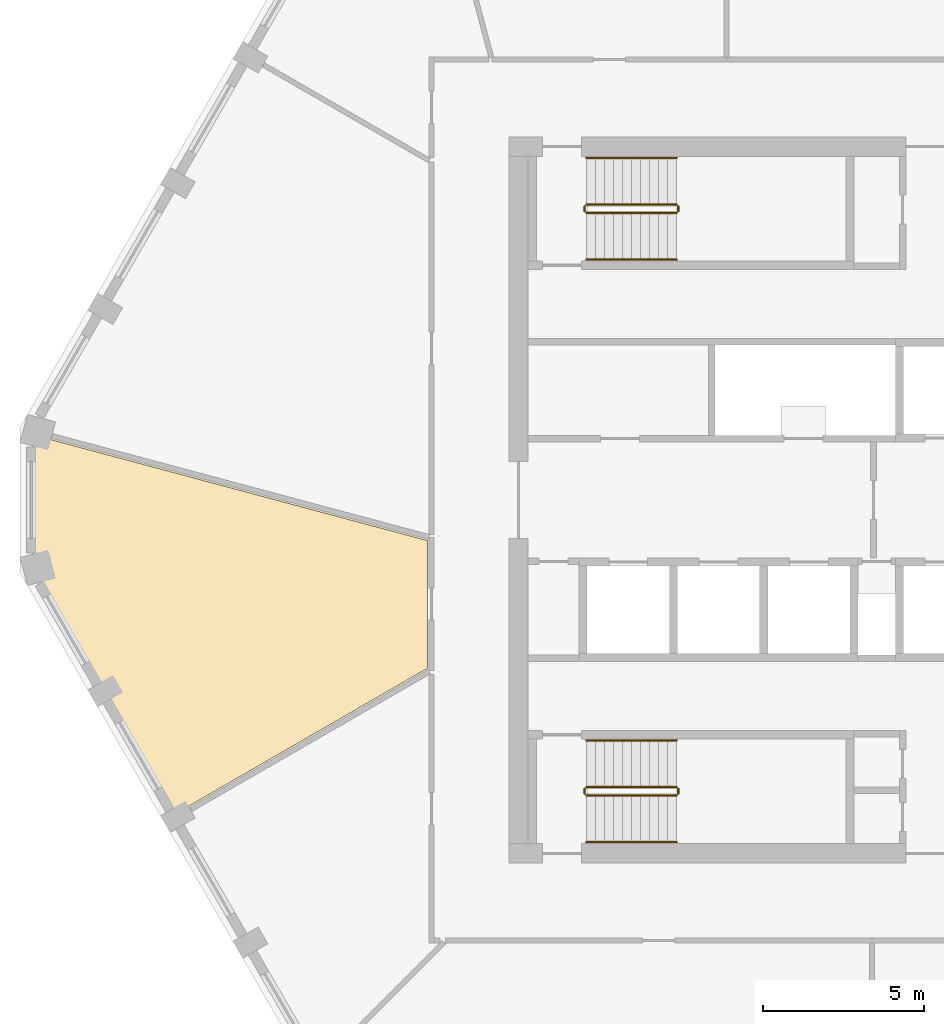
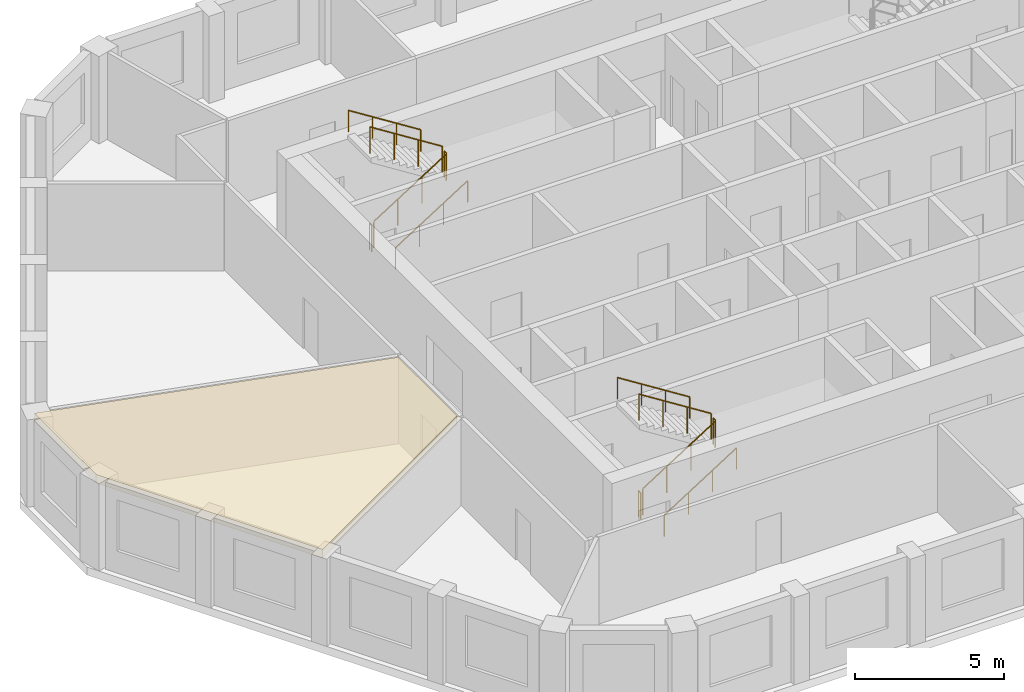
# One storey, part 8 of 9: 12 railings, 1 covering.
"""IFC4 building model written with IfcOpenShell, lengths in metres."""

import ifcopenshell
import ifcopenshell.guid

model = None  # the IFC model being written
_history = None  # IfcOwnerHistory: only IFC2X3 demands one
_inside = {}  # id of a spatial element -> (the spatial element, [elements in it])
_under = {}  # id of a project, library or spatial element -> (it, [spatial elements below it])
_declared = {}  # id of a project -> (the project, [libraries it declares])
_typed = {}  # id of a type object -> (the type object, [elements of that type])
_made_of = {}  # id of a material, layer set ... -> (it, [elements and type objects made of it])


def new_model(schema):
    """Start an empty IFC model of exactly this schema.

    Asked for "IFC4X3", IfcOpenShell would pick the latest addendum, in which some entities
    have other attributes; the version numbers below select the first issue.
    IFC2X3 requires an IfcOwnerHistory on every rooted entity: one is made here for all.
    """
    global model, _history
    if schema == "IFC4X3":
        model = ifcopenshell.file(schema_version=(4, 3, 0, 0))
    else:
        model = ifcopenshell.file(schema=schema)
    _inside.clear()
    _under.clear()
    _declared.clear()
    _typed.clear()
    _made_of.clear()
    _history = None
    if model.schema == "IFC2X3":
        org = make("IfcOrganization", Name="unknown")
        user = make(
            "IfcPersonAndOrganization",
            ThePerson=make("IfcPerson", FamilyName="unknown"),
            TheOrganization=org,
        )
        app = make(
            "IfcApplication",
            ApplicationDeveloper=org,
            Version="unknown",
            ApplicationFullName="unknown",
            ApplicationIdentifier="unknown",
        )
        _history = make(
            "IfcOwnerHistory",
            OwningUser=user,
            OwningApplication=app,
            ChangeAction="ADDED",
            CreationDate=0,
        )
    return model


def make(cls, **values):
    """One entity of the class cls with the attributes given. An attribute that is None is left unset."""
    return model.create_entity(
        cls, **{name: value for name, value in values.items() if value is not None}
    )


def rooted(cls, **values):
    """An entity with a GlobalId (a new one), such as an element, a storey or a relation."""
    return make(cls, GlobalId=ifcopenshell.guid.new(), OwnerHistory=_history, **values)


def si_unit(unit_type, name, prefix=None):
    """IfcSIUnit, for example si_unit("LENGTHUNIT", "METRE", prefix="MILLI")."""
    return make("IfcSIUnit", UnitType=unit_type, Prefix=prefix, Name=name)


def assignment(units):
    """IfcUnitAssignment: the units of a project."""
    return None if units is None else make("IfcUnitAssignment", Units=units)


def point(xyz):
    """IfcCartesianPoint."""
    return None if xyz is None else make("IfcCartesianPoint", Coordinates=xyz)


def direction(xyz):
    """IfcDirection."""
    return None if xyz is None else make("IfcDirection", DirectionRatios=xyz)


def frame(location, z_axis=None, x_axis=None):
    """IfcAxis2Placement3D, a coordinate frame: its origin and axes. An axis left out is left unset."""
    return make(
        "IfcAxis2Placement3D",
        Location=point(location),
        Axis=direction(z_axis),
        RefDirection=direction(x_axis),
    )


def frame_2d(location, x_axis=None):
    """IfcAxis2Placement2D, a coordinate frame in the plane: its origin and x axis."""
    return make(
        "IfcAxis2Placement2D", Location=point(location), RefDirection=direction(x_axis)
    )


def origin():
    """The frame at (0, 0, 0) with its axes left unset."""
    return frame((0.0, 0.0, 0.0))


def origin_2d():
    """The frame at (0, 0) in the plane with its x axis left unset."""
    return frame_2d((0.0, 0.0))


def place(relative_to, where):
    """IfcLocalPlacement: puts the frame where relative to a parent placement (None: the world)."""
    return make(
        "IfcLocalPlacement", PlacementRelTo=relative_to, RelativePlacement=where
    )


def context(
    kind, dimensions, precision=None, world=None, true_north=None, identifier=None
):
    """IfcGeometricRepresentationContext, for example the 3D "Model" context."""
    return make(
        "IfcGeometricRepresentationContext",
        ContextIdentifier=identifier,
        ContextType=kind,
        CoordinateSpaceDimension=dimensions,
        Precision=precision,
        WorldCoordinateSystem=world,
        TrueNorth=true_north,
    )


def subcontext(parent, identifier, kind, view, scale=None):
    """IfcGeometricRepresentationSubContext, for example "Body" below "Model"."""
    return make(
        "IfcGeometricRepresentationSubContext",
        ContextIdentifier=identifier,
        ContextType=kind,
        ParentContext=parent,
        TargetScale=scale,
        TargetView=view,
    )


def project(units=None, contexts=None):
    """IfcProject with its units and contexts."""
    return rooted(
        "IfcProject",
        Name="project",
        RepresentationContexts=contexts,
        UnitsInContext=assignment(units),
    )


def spatial(cls, under=None, at=None, **own):
    """A site, building, storey or space (cls), placed at a placement, below another one or the project."""
    s = rooted(cls, ObjectPlacement=at, **own)
    if under is not None:
        _under.setdefault(under.id(), (under, []))[1].append(s)
    return s


def polyline(points):
    """IfcPolyline through the points."""
    return make("IfcPolyline", Points=[point(p) for p in points])


def profile(cls, at=None, kind="AREA", **sizes):
    """A parametric profile (cls). Its sizes go by their IFC names, for example OverallWidth=200.0."""
    return make(cls, ProfileType=kind, Position=at, **sizes)


def circle(**sizes):
    """IfcCircleProfileDef."""
    return profile("IfcCircleProfileDef", **sizes)


def outline(outer, holes=None, kind="AREA"):
    """IfcArbitraryClosedProfileDef: a profile drawn as a closed curve; with holes, ...WithVoids."""
    if holes is None:
        return make("IfcArbitraryClosedProfileDef", ProfileType=kind, OuterCurve=outer)
    return make(
        "IfcArbitraryProfileDefWithVoids",
        ProfileType=kind,
        OuterCurve=outer,
        InnerCurves=holes,
    )


def extrude(swept, where, along, depth):
    """IfcExtrudedAreaSolid: the profile swept, set in the frame where, extruded along a direction by depth."""
    return make(
        "IfcExtrudedAreaSolid",
        SweptArea=swept,
        Position=where,
        ExtrudedDirection=direction(along),
        Depth=depth,
    )


def shape(context_of_items, identifier, shape_type, items):
    """IfcShapeRepresentation: the items that make up one representation, for example the "Body"."""
    return make(
        "IfcShapeRepresentation",
        ContextOfItems=context_of_items,
        RepresentationIdentifier=identifier,
        RepresentationType=shape_type,
        Items=items,
    )


def material(Name=None, Category=None):
    """IfcMaterial."""
    return make("IfcMaterial", Name=Name, Category=Category)


def layer(
    of_material, thickness, ventilated=None, Name=None, Category=None, Priority=None
):
    """IfcMaterialLayer: one layer of a wall or slab, of a material (None: an air gap)."""
    return make(
        "IfcMaterialLayer",
        Material=of_material,
        LayerThickness=thickness,
        IsVentilated=ventilated,
        Name=Name,
        Category=Category,
        Priority=Priority,
    )


def layer_set(layers, Name=None):
    """IfcMaterialLayerSet."""
    return make("IfcMaterialLayerSet", MaterialLayers=layers, LayerSetName=Name)


def made_of(thing, what):
    """Note that an element or type object is made of a material, layer set ...; save() writes the relation."""
    if what is not None:
        _made_of.setdefault(what.id(), (what, []))[1].append(thing)
    return thing


def type_object(cls, material=None, **own):
    """A type object (cls), such as IfcWallType, which elements share."""
    return made_of(rooted(cls, **own), material)


def element(
    cls,
    number,
    at=None,
    inside=None,
    cuts=None,
    type_object=None,
    material=None,
    context=None,
    identifier="Body",
    shape_type=None,
    held_by="IfcProductDefinitionShape",
    body=None,
    shapes=None,
    **own,
):
    """One element of the class cls, such as IfcWall. Its Tag is "e" and its number.

    at: its placement. inside: the storey or other place that contains it. cuts: it is an
    opening in that element (IfcRelVoidsElement). A single representation is given by context,
    identifier, shape_type and body (its items); several are given by shapes. held_by: the class
    of the entity that holds the representations. save() writes the other relations.
    """
    e = rooted(cls, Tag="e%d" % number, ObjectPlacement=at, **own)
    if body is not None:
        shapes = [shape(context, identifier, shape_type, body)]
    if shapes is not None:
        e.Representation = make(held_by, Representations=shapes)
    if inside is not None:
        _inside.setdefault(inside.id(), (inside, []))[1].append(e)
    if cuts is not None:
        rooted(
            "IfcRelVoidsElement", RelatingBuildingElement=cuts, RelatedOpeningElement=e
        )
    if type_object is not None:
        _typed.setdefault(type_object.id(), (type_object, []))[1].append(e)
    return made_of(e, material)


def aggregate(whole, parts):
    """IfcRelAggregates: a whole, such as a stair, and the parts it consists of."""
    return rooted("IfcRelAggregates", RelatingObject=whole, RelatedObjects=parts)


def save(model, path):
    """Write the relations noted so far, then the file.

    IfcRelAggregates (storeys below a building ...), IfcRelContainedInSpatialStructure (elements
    in a storey), IfcRelDefinesByType, IfcRelAssociatesMaterial and IfcRelDeclares: one each for
    every whole, place, type object, material and project.
    """
    for whole, parts in _under.values():
        aggregate(whole, parts)
    for where, things in _inside.values():
        rooted(
            "IfcRelContainedInSpatialStructure",
            RelatedElements=things,
            RelatingStructure=where,
        )
    for kind, things in _typed.values():
        rooted("IfcRelDefinesByType", RelatedObjects=things, RelatingType=kind)
    for what, things in _made_of.values():
        rooted("IfcRelAssociatesMaterial", RelatedObjects=things, RelatingMaterial=what)
    for by, libraries in _declared.values():
        rooted("IfcRelDeclares", RelatingContext=by, RelatedDefinitions=libraries)
    model.write(path)


model = new_model("IFC4")

# Units and contexts
model_context = context("Model", 3, precision=1e-05, world=origin(), true_north=direction((0.0, 1.0)))
body_context = subcontext(model_context, "Body", "Model", "MODEL_VIEW")
ifc_project = project(units=[si_unit("LENGTHUNIT", "METRE"), si_unit("AREAUNIT", "SQUARE_METRE"), si_unit("VOLUMEUNIT", "CUBIC_METRE"), si_unit("PLANEANGLEUNIT", "RADIAN"), si_unit("MASSUNIT", "GRAM", prefix="KILO")], contexts=[model_context])

# Site, building, storey
site_placement = place(None, origin())
site = spatial("IfcSite", under=ifc_project, at=site_placement, CompositionType="ELEMENT")
building_placement = place(site_placement, origin())
building = spatial("IfcBuilding", under=site, at=building_placement, Name="Dhurran Vertical Campus", CompositionType="ELEMENT")
storey_placement = place(building_placement, frame((0.0, 0.0, 294.300048828125)))
storey = spatial("IfcBuildingStorey", under=building, at=storey_placement, Name="L73", CompositionType="ELEMENT", Elevation=294.300048828125)

# Railings
ifc_material_1 = material(Name="Stainless steel balustrade", Category="steel")
railing_type_1 = type_object("IfcRailingType", Name="co-RL-GUARD-1100", PredefinedType="GUARDRAIL", material=ifc_material_1)
railing_1_placement = place(storey_placement, frame((-11.10009765625, 8.89990234375, 0.17724609375)))
element("IfcRailing", 1, at=railing_1_placement, inside=storey, type_object=railing_type_1, Name="L73 ST1 stair guard 1", PredefinedType="GUARDRAIL", context=body_context, shape_type="SweptSolid", body=[
    extrude(circle(Radius=0.02392578125, at=origin_2d()), frame((0.0, 0.0, 1.076171875), z_axis=(0.844908973607, 0.0, 0.534910110503), x_axis=(0.0, 1.0, 0.0)), (0.0, 0.0, 1.0), 3.31396484375),
    extrude(circle(Radius=0.02099609375, at=origin_2d()), origin(), (0.0, 0.0, 1.0), 1.052001953125),
    extrude(circle(Radius=0.02099609375, at=origin_2d()), frame((0.933349609375, 0.0, 0.5908203125)), (0.0, 0.0, 1.0), 1.052001953125),
    extrude(circle(Radius=0.02099609375, at=origin_2d()), frame((1.86669921875, 0.0, 1.181884765625)), (0.0, 0.0, 1.0), 1.052001953125),
    extrude(circle(Radius=0.02099609375, at=origin_2d()), frame((2.800048828125, 0.0, 1.772705078125)), (0.0, 0.0, 1.0), 1.052001953125),
])
railing_2_placement = place(storey_placement, frame((-8.25, 8.949951171875, 1.949951171875)))
element("IfcRailing", 2, at=railing_2_placement, inside=storey, type_object=railing_type_1, Name="L73 ST1 stair guard 2", PredefinedType="GUARDRAIL", context=body_context, shape_type="SweptSolid", body=[
    extrude(circle(Radius=0.02392578125, at=origin_2d()), frame((0.0, 0.0, 1.076171875), z_axis=(0.0, 1.0, 0.0), x_axis=(-1.0, 0.0, 0.0)), (0.0, 0.0, 1.0), 0.150146484375),
    extrude(circle(Radius=0.02099609375, at=origin_2d()), origin(), (0.0, 0.0, 1.0), 1.052001953125),
    extrude(circle(Radius=0.02099609375, at=origin_2d()), frame((0.0, 0.150146484375, 0.0)), (0.0, 0.0, 1.0), 1.052001953125),
])
railing_3_placement = place(storey_placement, frame((-8.300048828125, 9.14990234375, 2.127197265625)))
element("IfcRailing", 3, at=railing_3_placement, inside=storey, type_object=railing_type_1, Name="L73 ST1 stair guard 3", PredefinedType="GUARDRAIL", context=body_context, shape_type="SweptSolid", body=[
    extrude(circle(Radius=0.02392578125, at=origin_2d()), frame((0.0, 0.0, 1.076171875), z_axis=(-0.844908973607, 0.0, 0.534910110503), x_axis=(0.0, -1.0, 0.0)), (0.0, 0.0, 1.0), 3.31396484375),
    extrude(circle(Radius=0.02099609375, at=origin_2d()), origin(), (0.0, 0.0, 1.0), 1.052001953125),
    extrude(circle(Radius=0.02099609375, at=origin_2d()), frame((-0.933349609375, 0.0, 0.5908203125)), (0.0, 0.0, 1.0), 1.052001953125),
    extrude(circle(Radius=0.02099609375, at=origin_2d()), frame((-1.86669921875, 0.0, 1.181884765625)), (0.0, 0.0, 1.0), 1.052001953125),
    extrude(circle(Radius=0.02099609375, at=origin_2d()), frame((-2.800048828125, 0.0, 1.772705078125)), (0.0, 0.0, 1.0), 1.052001953125),
])
railing_4_placement = place(storey_placement, frame((-11.14990234375, 8.949951171875, 0.0)))
element("IfcRailing", 4, at=railing_4_placement, inside=storey, type_object=railing_type_1, Name="L73 ST1 stair guard 4", PredefinedType="GUARDRAIL", context=body_context, shape_type="SweptSolid", body=[
    extrude(circle(Radius=0.02392578125, at=origin_2d()), frame((0.0, 0.0, 1.076171875), z_axis=(0.0, 1.0, 0.0), x_axis=(-1.0, 0.0, 0.0)), (0.0, 0.0, 1.0), 0.150146484375),
    extrude(circle(Radius=0.02099609375, at=origin_2d()), origin(), (0.0, 0.0, 1.0), 1.052001953125),
    extrude(circle(Radius=0.02099609375, at=origin_2d()), frame((0.0, 0.150146484375, 0.0)), (0.0, 0.0, 1.0), 1.052001953125),
])
railing_5_placement = place(storey_placement, frame((-11.10009765625, -9.14990234375, 0.17724609375)))
element("IfcRailing", 5, at=railing_5_placement, inside=storey, type_object=railing_type_1, Name="L73 ST3 stair guard 1", PredefinedType="GUARDRAIL", context=body_context, shape_type="SweptSolid", body=[
    extrude(circle(Radius=0.02392578125, at=origin_2d()), frame((0.0, 0.0, 1.076171875), z_axis=(0.844908973607, 0.0, 0.534910110503), x_axis=(0.0, 1.0, 0.0)), (0.0, 0.0, 1.0), 3.31396484375),
    extrude(circle(Radius=0.02099609375, at=origin_2d()), origin(), (0.0, 0.0, 1.0), 1.052001953125),
    extrude(circle(Radius=0.02099609375, at=origin_2d()), frame((0.933349609375, 0.0, 0.5908203125)), (0.0, 0.0, 1.0), 1.052001953125),
    extrude(circle(Radius=0.02099609375, at=origin_2d()), frame((1.86669921875, 0.0, 1.181884765625)), (0.0, 0.0, 1.0), 1.052001953125),
    extrude(circle(Radius=0.02099609375, at=origin_2d()), frame((2.800048828125, 0.0, 1.772705078125)), (0.0, 0.0, 1.0), 1.052001953125),
])
railing_6_placement = place(storey_placement, frame((-8.25, -9.10009765625, 1.949951171875)))
element("IfcRailing", 6, at=railing_6_placement, inside=storey, type_object=railing_type_1, Name="L73 ST3 stair guard 2", PredefinedType="GUARDRAIL", context=body_context, shape_type="SweptSolid", body=[
    extrude(circle(Radius=0.02392578125, at=origin_2d()), frame((0.0, 0.0, 1.076171875), z_axis=(0.0, 1.0, 0.0), x_axis=(-1.0, 0.0, 0.0)), (0.0, 0.0, 1.0), 0.150146484375),
    extrude(circle(Radius=0.02099609375, at=origin_2d()), origin(), (0.0, 0.0, 1.0), 1.052001953125),
    extrude(circle(Radius=0.02099609375, at=origin_2d()), frame((0.0, 0.150146484375, 0.0)), (0.0, 0.0, 1.0), 1.052001953125),
])
railing_7_placement = place(storey_placement, frame((-8.300048828125, -8.89990234375, 2.127197265625)))
element("IfcRailing", 7, at=railing_7_placement, inside=storey, type_object=railing_type_1, Name="L73 ST3 stair guard 3", PredefinedType="GUARDRAIL", context=body_context, shape_type="SweptSolid", body=[
    extrude(circle(Radius=0.02392578125, at=origin_2d()), frame((0.0, 0.0, 1.076171875), z_axis=(-0.844908973607, 0.0, 0.534910110503), x_axis=(0.0, -1.0, 0.0)), (0.0, 0.0, 1.0), 3.31396484375),
    extrude(circle(Radius=0.02099609375, at=origin_2d()), origin(), (0.0, 0.0, 1.0), 1.052001953125),
    extrude(circle(Radius=0.02099609375, at=origin_2d()), frame((-0.933349609375, 0.0, 0.5908203125)), (0.0, 0.0, 1.0), 1.052001953125),
    extrude(circle(Radius=0.02099609375, at=origin_2d()), frame((-1.86669921875, 0.0, 1.181884765625)), (0.0, 0.0, 1.0), 1.052001953125),
    extrude(circle(Radius=0.02099609375, at=origin_2d()), frame((-2.800048828125, 0.0, 1.772705078125)), (0.0, 0.0, 1.0), 1.052001953125),
])
railing_8_placement = place(storey_placement, frame((-11.14990234375, -9.10009765625, 0.0)))
element("IfcRailing", 8, at=railing_8_placement, inside=storey, type_object=railing_type_1, Name="L73 ST3 stair guard 4", PredefinedType="GUARDRAIL", context=body_context, shape_type="SweptSolid", body=[
    extrude(circle(Radius=0.02392578125, at=origin_2d()), frame((0.0, 0.0, 1.076171875), z_axis=(0.0, 1.0, 0.0), x_axis=(-1.0, 0.0, 0.0)), (0.0, 0.0, 1.0), 0.150146484375),
    extrude(circle(Radius=0.02099609375, at=origin_2d()), origin(), (0.0, 0.0, 1.0), 1.052001953125),
    extrude(circle(Radius=0.02099609375, at=origin_2d()), frame((0.0, 0.150146484375, 0.0)), (0.0, 0.0, 1.0), 1.052001953125),
])
ifc_material_2 = material(Name="Stainless steel handrail", Category="steel")
railing_type_2 = type_object("IfcRailingType", Name="co-RL-HANDRAIL-900", PredefinedType="HANDRAIL", material=ifc_material_2)
railing_9_placement = place(storey_placement, frame((-11.10009765625, 7.449951171875, 0.17724609375)))
element("IfcRailing", 9, at=railing_9_placement, inside=storey, type_object=railing_type_2, Name="L73 ST1 stair handrail 1", PredefinedType="HANDRAIL", context=body_context, shape_type="SweptSolid", body=[
    extrude(circle(Radius=0.02392578125, at=origin_2d()), frame((0.0, 0.0, 0.8759765625), z_axis=(0.844908973607, 0.0, 0.534910110503), x_axis=(0.0, 1.0, 0.0)), (0.0, 0.0, 1.0), 3.31396484375),
    extrude(circle(Radius=0.02099609375, at=origin_2d()), origin(), (0.0, 0.0, 1.0), 0.851806640625),
    extrude(circle(Radius=0.02099609375, at=origin_2d()), frame((0.933349609375, 0.0, 0.5908203125)), (0.0, 0.0, 1.0), 0.851806640625),
    extrude(circle(Radius=0.02099609375, at=origin_2d()), frame((1.86669921875, 0.0, 1.181884765625)), (0.0, 0.0, 1.0), 0.851806640625),
    extrude(circle(Radius=0.02099609375, at=origin_2d()), frame((2.800048828125, 0.0, 1.772705078125)), (0.0, 0.0, 1.0), 0.851806640625),
])
railing_10_placement = place(storey_placement, frame((-8.300048828125, 10.60009765625, 2.127197265625)))
element("IfcRailing", 10, at=railing_10_placement, inside=storey, type_object=railing_type_2, Name="L73 ST1 stair handrail 2", PredefinedType="HANDRAIL", context=body_context, shape_type="SweptSolid", body=[
    extrude(circle(Radius=0.02392578125, at=origin_2d()), frame((0.0, 0.0, 0.8759765625), z_axis=(-0.844908973607, 0.0, 0.534910110503), x_axis=(0.0, -1.0, 0.0)), (0.0, 0.0, 1.0), 3.31396484375),
    extrude(circle(Radius=0.02099609375, at=origin_2d()), origin(), (0.0, 0.0, 1.0), 0.851806640625),
    extrude(circle(Radius=0.02099609375, at=origin_2d()), frame((-0.933349609375, 0.0, 0.5908203125)), (0.0, 0.0, 1.0), 0.851806640625),
    extrude(circle(Radius=0.02099609375, at=origin_2d()), frame((-1.86669921875, 0.0, 1.181884765625)), (0.0, 0.0, 1.0), 0.851806640625),
    extrude(circle(Radius=0.02099609375, at=origin_2d()), frame((-2.800048828125, 0.0, 1.772705078125)), (0.0, 0.0, 1.0), 0.851806640625),
])
railing_11_placement = place(storey_placement, frame((-11.10009765625, -10.60009765625, 0.17724609375)))
element("IfcRailing", 11, at=railing_11_placement, inside=storey, type_object=railing_type_2, Name="L73 ST3 stair handrail 1", PredefinedType="HANDRAIL", context=body_context, shape_type="SweptSolid", body=[
    extrude(circle(Radius=0.02392578125, at=origin_2d()), frame((0.0, 0.0, 0.8759765625), z_axis=(0.844908973607, 0.0, 0.534910110503), x_axis=(0.0, 1.0, 0.0)), (0.0, 0.0, 1.0), 3.31396484375),
    extrude(circle(Radius=0.02099609375, at=origin_2d()), origin(), (0.0, 0.0, 1.0), 0.851806640625),
    extrude(circle(Radius=0.02099609375, at=origin_2d()), frame((0.933349609375, 0.0, 0.5908203125)), (0.0, 0.0, 1.0), 0.851806640625),
    extrude(circle(Radius=0.02099609375, at=origin_2d()), frame((1.86669921875, 0.0, 1.181884765625)), (0.0, 0.0, 1.0), 0.851806640625),
    extrude(circle(Radius=0.02099609375, at=origin_2d()), frame((2.800048828125, 0.0, 1.772705078125)), (0.0, 0.0, 1.0), 0.851806640625),
])
railing_12_placement = place(storey_placement, frame((-8.300048828125, -7.449951171875, 2.127197265625)))
element("IfcRailing", 12, at=railing_12_placement, inside=storey, type_object=railing_type_2, Name="L73 ST3 stair handrail 2", PredefinedType="HANDRAIL", context=body_context, shape_type="SweptSolid", body=[
    extrude(circle(Radius=0.02392578125, at=origin_2d()), frame((0.0, 0.0, 0.8759765625), z_axis=(-0.844908973607, 0.0, 0.534910110503), x_axis=(0.0, -1.0, 0.0)), (0.0, 0.0, 1.0), 3.31396484375),
    extrude(circle(Radius=0.02099609375, at=origin_2d()), origin(), (0.0, 0.0, 1.0), 0.851806640625),
    extrude(circle(Radius=0.02099609375, at=origin_2d()), frame((-0.933349609375, 0.0, 0.5908203125)), (0.0, 0.0, 1.0), 0.851806640625),
    extrude(circle(Radius=0.02099609375, at=origin_2d()), frame((-1.86669921875, 0.0, 1.181884765625)), (0.0, 0.0, 1.0), 0.851806640625),
    extrude(circle(Radius=0.02099609375, at=origin_2d()), frame((-2.800048828125, 0.0, 1.772705078125)), (0.0, 0.0, 1.0), 0.851806640625),
])

# Covering
ifc_material_3 = material(Name="Mineral fibre ceiling tiles on suspended grid")
ifc_layer = layer(ifc_material_3, 0.35009765625)
ifc_layer_set = layer_set([ifc_layer], Name="Mineral fibre ceiling tiles on suspended grid")
covering_type = type_object("IfcCoveringType", Name="fl-CE-350 suspended ceiling", PredefinedType="CEILING", material=ifc_layer_set)
covering_placement = place(storey_placement, frame((0.0, 0.0, 3.224853515625)))
element("IfcCovering", 13, at=covering_placement, inside=storey, type_object=covering_type, Name="Ceiling 73-02", PredefinedType="CEILING", context=body_context, shape_type="SweptSolid", body=[
    extrude(outline(polyline([(-23.843017578125, -9.72998046875), (-28.22705078125, -2.137939453125), (-28.22705078125, 2.013916015625), (-16.02001953125, -1.258056640625), (-16.02001953125, -5.214111328125), (-23.843017578125, -9.72998046875)])), origin(), (0.0, 0.0, 1.0), 0.35009765625),
])

save(model, "model.ifc")
